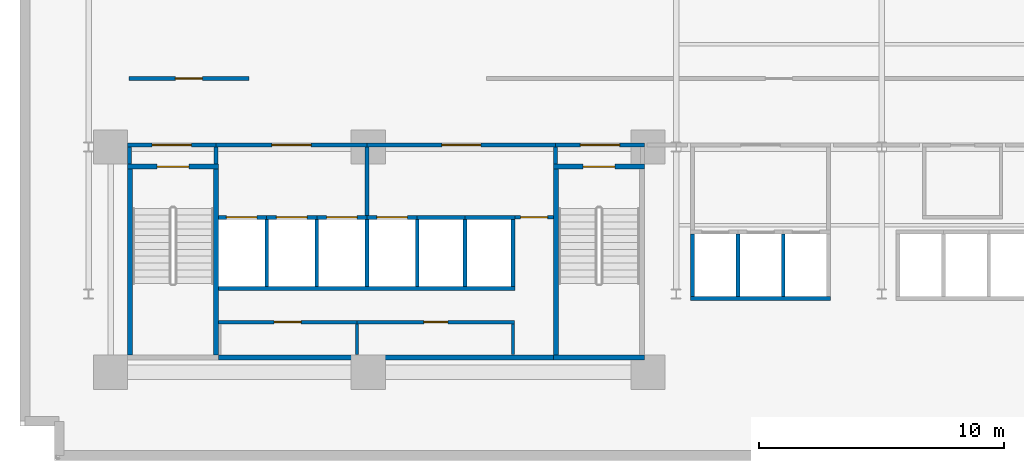
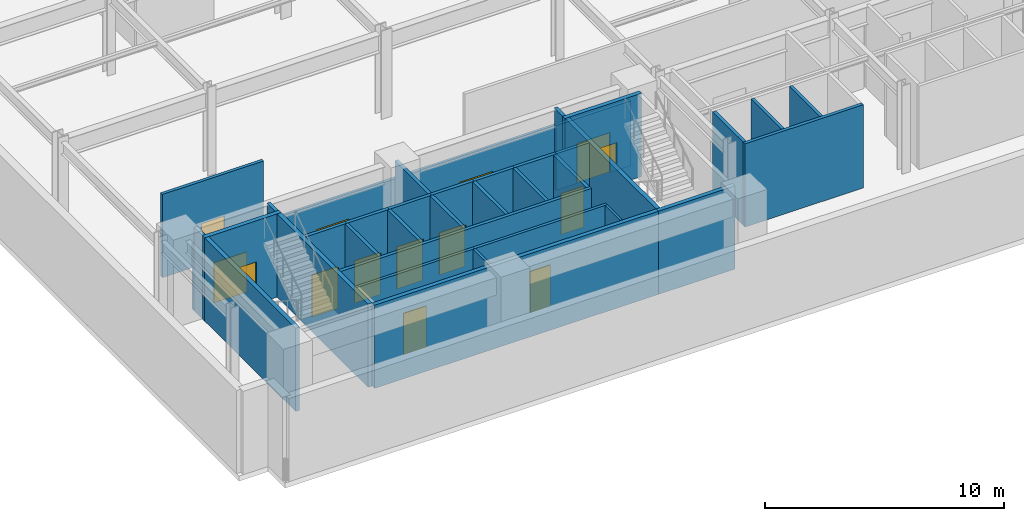
# One storey, part 6 of 14: 38 walls, 14 doors, 14 openings.
"""IFC4 building model written with IfcOpenShell, lengths in metres."""

from ifc_helpers import new_model, si_unit, direction, frame, frame_2d, origin, place, context, subcontext, project, spatial, rectangle, extrude, material, layer, layer_set, type_object, element, fill, save


model = new_model("IFC4")

# Units and contexts
model_context = context("Model", 3, precision=1e-05, world=origin(), true_north=direction((0.0, 1.0)))
body_context = subcontext(model_context, "Body", "Model", "MODEL_VIEW")
ifc_project = project(units=[si_unit("LENGTHUNIT", "METRE"), si_unit("AREAUNIT", "SQUARE_METRE"), si_unit("VOLUMEUNIT", "CUBIC_METRE"), si_unit("PLANEANGLEUNIT", "RADIAN"), si_unit("MASSUNIT", "GRAM", prefix="KILO")], contexts=[model_context])

# Site, building, storey
site_placement = place(None, origin())
site = spatial("IfcSite", under=ifc_project, at=site_placement, CompositionType="ELEMENT")
building_placement = place(site_placement, origin())
building = spatial("IfcBuilding", under=site, at=building_placement, Name="Varnakote Quay Hospital", CompositionType="ELEMENT")
storey_placement = place(building_placement, frame((0.0, 0.0, -4.5)))
storey = spatial("IfcBuildingStorey", under=building, at=storey_placement, Name="B01", CompositionType="ELEMENT", Elevation=-4.5)

# Wall
ifc_material_1 = material(Name="Fire-rated acoustic gypsum stud wall", Category="gypsum")
ifc_layer_1 = layer(ifc_material_1, 0.159912109375)
ifc_layer_set_1 = layer_set([ifc_layer_1], Name="Fire-rated acoustic gypsum stud wall")
wall_type_1 = type_object("IfcWallType", Name="WL-COMP-160", PredefinedType="PARTITIONING", material=ifc_layer_set_1)
wall_1_placement = place(storey_placement, frame((2.8798828125, 11.300048828125, 0.0), z_axis=(0.0, 0.0, 1.0), x_axis=(0.0, 1.0, 0.0)))
element("IfcWall", 1, at=wall_1_placement, inside=storey, type_object=wall_type_1, Name="B01 West Stair Vestibule West Wall", PredefinedType="PARTITIONING", context=body_context, shape_type="SweptSolid", body=[
    extrude(rectangle(XDim=0.699951171875, YDim=0.159912109375, at=frame_2d((0.35009765625, 0.0))), origin(), (0.0, 0.0, 1.0), 4.25),
])

# Wall, opening, door
wall_2_placement = place(storey_placement, frame((2.800048828125, 12.080078125, 0.0), z_axis=(0.0, 0.0, 1.0), x_axis=(1.0, 0.0, 0.0)))
wall_2 = element("IfcWall", 2, at=wall_2_placement, inside=storey, type_object=wall_type_1, Name="B01 West Stair Vestibule Smoke Wall", PredefinedType="PARTITIONING", context=body_context, shape_type="SweptSolid", body=[
    extrude(rectangle(XDim=3.599853515625, YDim=0.159912109375, at=frame_2d((1.7998046875, 0.0))), origin(), (0.0, 0.0, 1.0), 3.31494140625),
])
opening_1_placement = place(wall_2_placement, frame((1.0, 0.0, 0.0)))
opening_1 = element("IfcOpeningElement", 3, at=opening_1_placement, cuts=wall_2, Name="Opening D-ST1L-B01", PredefinedType="OPENING", context=body_context, shape_type="SweptSolid", body=[
    extrude(rectangle(XDim=1.60009765625, YDim=2.050048828125, at=frame_2d((0.800048828125, 1.02490234375))), frame((0.0, 0.08984375, 0.0), z_axis=(0.0, -1.0, 0.0), x_axis=(1.0, 0.0, 0.0)), (0.0, 0.0, 1.0), 0.179931640625),
])
ifc_material_2 = material(Name="Fire-rated double smoke lobby door")
door_type_1 = type_object("IfcDoorType", Name="DR-LOBBY-FD60S-1600x2150", OperationType="NOTDEFINED", PredefinedType="DOOR", material=ifc_material_2)
door_1_placement = place(opening_1_placement, origin())
door_1 = element("IfcDoor", 4, at=door_1_placement, inside=storey, type_object=door_type_1, Name="B01 West Stair Vestibule Smoke Door", OperationType="DOUBLE_DOOR_SINGLE_SWING", OverallHeight=2.050048828125, OverallWidth=1.60009765625, PredefinedType="DOOR", context=body_context, shape_type="SweptSolid", body=[
    extrude(rectangle(XDim=1.60009765625, YDim=2.050048828125, at=frame_2d((0.800048828125, 1.02490234375))), frame((0.0, 0.02490234375, 0.0), z_axis=(0.0, -1.0, 0.0), x_axis=(1.0, 0.0, 0.0)), (0.0, 0.0, 1.0), 0.050048828125),
])
fill(opening_1, door_1)

# Wall
wall_3_placement = place(storey_placement, frame((6.39990234375, 11.300048828125, 0.0), z_axis=(0.0, 0.0, 1.0), x_axis=(0.0, 1.0, 0.0)))
element("IfcWall", 5, at=wall_3_placement, inside=storey, type_object=wall_type_1, Name="B01 Firefighting Lobby West Wall", PredefinedType="PARTITIONING", context=body_context, shape_type="SweptSolid", body=[
    extrude(rectangle(XDim=0.699951171875, YDim=0.159912109375, at=frame_2d((0.35009765625, 0.0))), origin(), (0.0, 0.0, 1.0), 4.25),
])

# Wall, opening, door
wall_4_placement = place(storey_placement, frame((6.39990234375, 12.080078125, 0.0), z_axis=(0.0, 0.0, 1.0), x_axis=(1.0, 0.0, 0.0)))
wall_4 = element("IfcWall", 6, at=wall_4_placement, inside=storey, type_object=wall_type_1, Name="B01 Firefighting Lift Lobby Compartment Wall", PredefinedType="PARTITIONING", context=body_context, shape_type="SweptSolid", body=[
    extrude(rectangle(XDim=6.18017578125, YDim=0.159912109375, at=frame_2d((3.090087890625, 0.0))), origin(), (0.0, 0.0, 1.0), 3.31494140625),
])
opening_2_placement = place(wall_4_placement, frame((2.2900390625, 0.0, 0.0)))
opening_2 = element("IfcOpeningElement", 7, at=opening_2_placement, cuts=wall_4, Name="Opening D-FFL-B01", PredefinedType="OPENING", context=body_context, shape_type="SweptSolid", body=[
    extrude(rectangle(XDim=1.60009765625, YDim=2.050048828125, at=frame_2d((0.800048828125, 1.02490234375))), frame((0.0, 0.08984375, 0.0), z_axis=(0.0, -1.0, 0.0), x_axis=(1.0, 0.0, 0.0)), (0.0, 0.0, 1.0), 0.179931640625),
])
door_2_placement = place(opening_2_placement, origin())
door_2 = element("IfcDoor", 8, at=door_2_placement, inside=storey, type_object=door_type_1, Name="B01 Firefighting Smoke Vestibule Door", OperationType="DOUBLE_DOOR_SINGLE_SWING", OverallHeight=2.050048828125, OverallWidth=1.60009765625, PredefinedType="DOOR", context=body_context, shape_type="SweptSolid", body=[
    extrude(rectangle(XDim=1.60009765625, YDim=2.050048828125, at=frame_2d((0.800048828125, 1.02490234375))), frame((0.0, 0.02490234375, 0.0), z_axis=(0.0, -1.0, 0.0), x_axis=(1.0, 0.0, 0.0)), (0.0, 0.0, 1.0), 0.050048828125),
])
fill(opening_2, door_2)

# Wall
wall_5_placement = place(storey_placement, frame((12.580078125, 9.2099609375, 0.0), z_axis=(0.0, 0.0, 1.0), x_axis=(0.0, 1.0, 0.0)))
element("IfcWall", 9, at=wall_5_placement, inside=storey, type_object=wall_type_1, Name="B01 Firefighting to Service Lobby Wall", PredefinedType="PARTITIONING", context=body_context, shape_type="SweptSolid", body=[
    extrude(rectangle(XDim=2.7900390625, YDim=0.159912109375, at=frame_2d((1.39501953125, 0.0))), origin(), (0.0, 0.0, 1.0), 4.25),
])

# Wall, opening, door
wall_6_placement = place(storey_placement, frame((12.580078125, 12.080078125, 0.0), z_axis=(0.0, 0.0, 1.0), x_axis=(1.0, 0.0, 0.0)))
wall_6 = element("IfcWall", 10, at=wall_6_placement, inside=storey, type_object=wall_type_1, Name="B01 Clinical Bed Lift Lobby Wall", PredefinedType="PARTITIONING", context=body_context, shape_type="SweptSolid", body=[
    extrude(rectangle(XDim=7.699951171875, YDim=0.159912109375, at=frame_2d((3.85009765625, 0.0))), origin(), (0.0, 0.0, 1.0), 3.31494140625),
])
opening_3_placement = place(wall_6_placement, frame((3.050048828125, 0.0, 0.0)))
opening_3 = element("IfcOpeningElement", 11, at=opening_3_placement, cuts=wall_6, Name="Opening D-SVL-B01", PredefinedType="OPENING", context=body_context, shape_type="SweptSolid", body=[
    extrude(rectangle(XDim=1.60009765625, YDim=2.050048828125, at=frame_2d((0.800048828125, 1.02490234375))), frame((0.0, 0.08984375, 0.0), z_axis=(0.0, -1.0, 0.0), x_axis=(1.0, 0.0, 0.0)), (0.0, 0.0, 1.0), 0.179931640625),
])
door_3_placement = place(opening_3_placement, origin())
door_3 = element("IfcDoor", 12, at=door_3_placement, inside=storey, type_object=door_type_1, Name="B01 Clinical Core Smoke Vestibule Door", OperationType="DOUBLE_DOOR_SINGLE_SWING", OverallHeight=2.050048828125, OverallWidth=1.60009765625, PredefinedType="DOOR", context=body_context, shape_type="SweptSolid", body=[
    extrude(rectangle(XDim=1.60009765625, YDim=2.050048828125, at=frame_2d((0.800048828125, 1.02490234375))), frame((0.0, 0.02490234375, 0.0), z_axis=(0.0, -1.0, 0.0), x_axis=(1.0, 0.0, 0.0)), (0.0, 0.0, 1.0), 0.050048828125),
])
fill(opening_3, door_3)

# Wall
wall_7_placement = place(storey_placement, frame((20.280029296875, 11.300048828125, 0.0), z_axis=(0.0, 0.0, 1.0), x_axis=(0.0, 1.0, 0.0)))
element("IfcWall", 13, at=wall_7_placement, inside=storey, type_object=wall_type_1, Name="B01 East Stair Vestibule Divider Wall", PredefinedType="PARTITIONING", context=body_context, shape_type="SweptSolid", body=[
    extrude(rectangle(XDim=0.699951171875, YDim=0.159912109375, at=frame_2d((0.35009765625, 0.0))), origin(), (0.0, 0.0, 1.0), 4.25),
])

# Wall, opening, door
wall_8_placement = place(storey_placement, frame((20.280029296875, 12.080078125, 0.0), z_axis=(0.0, 0.0, 1.0), x_axis=(1.0, 0.0, 0.0)))
wall_8 = element("IfcWall", 14, at=wall_8_placement, inside=storey, type_object=wall_type_1, Name="B01 East Stair Vestibule Smoke Wall", PredefinedType="PARTITIONING", context=body_context, shape_type="SweptSolid", body=[
    extrude(rectangle(XDim=3.619873046875, YDim=0.159912109375, at=frame_2d((1.81005859375, 0.0))), origin(), (0.0, 0.0, 1.0), 3.31494140625),
])
opening_4_placement = place(wall_8_placement, frame((1.010009765625, 0.0, 0.0)))
opening_4 = element("IfcOpeningElement", 15, at=opening_4_placement, cuts=wall_8, Name="Opening D-ST2L-B01", PredefinedType="OPENING", context=body_context, shape_type="SweptSolid", body=[
    extrude(rectangle(XDim=1.60009765625, YDim=2.050048828125, at=frame_2d((0.800048828125, 1.02490234375))), frame((0.0, 0.08984375, 0.0), z_axis=(0.0, -1.0, 0.0), x_axis=(1.0, 0.0, 0.0)), (0.0, 0.0, 1.0), 0.179931640625),
])
door_4_placement = place(opening_4_placement, origin())
door_4 = element("IfcDoor", 16, at=door_4_placement, inside=storey, type_object=door_type_1, Name="B01 East Stair Vestibule Smoke Door", OperationType="DOUBLE_DOOR_SINGLE_SWING", OverallHeight=2.050048828125, OverallWidth=1.60009765625, PredefinedType="DOOR", context=body_context, shape_type="SweptSolid", body=[
    extrude(rectangle(XDim=1.60009765625, YDim=2.050048828125, at=frame_2d((0.800048828125, 1.02490234375))), frame((0.0, 0.02490234375, 0.0), z_axis=(0.0, -1.0, 0.0), x_axis=(1.0, 0.0, 0.0)), (0.0, 0.0, 1.0), 0.050048828125),
])
fill(opening_4, door_4)

# Walls
ifc_material_3 = material(Name="Concrete N80 (f'c 80 MPa)", Category="concrete")
ifc_layer_2 = layer(ifc_material_3, 0.199951171875)
ifc_layer_set_2 = layer_set([ifc_layer_2], Name="Concrete N80 (f'c 80 MPa)")
wall_type_2 = type_object("IfcWallType", Name="WL-CORE-N80-200", PredefinedType="SHEAR", material=ifc_layer_set_2)
wall_9_placement = place(storey_placement, frame((6.5, 3.39990234375, 0.0), z_axis=(0.0, 0.0, 1.0), x_axis=(1.0, 0.0, 0.0)))
element("IfcWall", 17, at=wall_9_placement, inside=storey, type_object=wall_type_2, Name="B01 Rear Core South Shear Wall", PredefinedType="SHEAR", context=body_context, shape_type="SweptSolid", body=[
    extrude(rectangle(XDim=13.699951171875, YDim=0.199951171875, at=frame_2d((6.85009765625, 0.0))), origin(), (0.0, 0.0, 1.0), 4.25),
])
ifc_material_4 = material(Name="Concrete N50 (f'c 50 MPa)", Category="concrete")
ifc_layer_3 = layer(ifc_material_4, 0.14990234375)
ifc_layer_set_3 = layer_set([ifc_layer_3], Name="Concrete N50 (f'c 50 MPa)")
wall_type_3 = type_object("IfcWallType", Name="WL-SHAFT-N50-150", PredefinedType="SHEAR", material=ifc_layer_set_3)
for number, where, z_axis, x_axis, name in (
    (18, (8.47509765625, 6.300048828125, 0.0), (0.0, 0.0, 1.0), (0.0, 1.0, 0.0), "B01 LF-FF1 Hoistway Divider Wall"),
    (19, (10.52490234375, 6.300048828125, 0.0), (0.0, 0.0, 1.0), (0.0, 1.0, 0.0), "B01 LF-FF2 Hoistway Divider Wall"),
    (20, (12.574951171875, 6.300048828125, 0.0), (0.0, 0.0, 1.0), (0.0, 1.0, 0.0), "B01 LF-SV1 Hoistway Divider Wall"),
    (21, (14.625, 6.300048828125, 0.0), (0.0, 0.0, 1.0), (0.0, 1.0, 0.0), "B01 LF-SV2 Hoistway Divider Wall"),
    (22, (16.574951171875, 6.300048828125, 0.0), (0.0, 0.0, 1.0), (0.0, 1.0, 0.0), "B01 LF-PH1 Hoistway Divider Wall"),
):
    element("IfcWall", number, at=place(storey_placement, frame(where, z_axis=z_axis, x_axis=x_axis)), inside=storey, type_object=wall_type_3, Name=name, PredefinedType="SHEAR", context=body_context, shape_type="SweptSolid", body=[
        extrude(rectangle(XDim=2.75, YDim=0.14990234375, at=frame_2d((1.375, 0.0))), origin(), (0.0, 0.0, 1.0), 4.25),
    ])
for number, where, z_axis, x_axis, name in (
    (23, (27.72509765625, 5.89990234375, 0.0), (0.0, 0.0, 1.0), (0.0, 1.0, 0.0), "B01 LF-PL1 Hoistway Divider Wall"),
    (24, (29.574951171875, 5.89990234375, 0.0), (0.0, 0.0, 1.0), (0.0, 1.0, 0.0), "B01 LF-PL2 Hoistway Divider Wall"),
):
    element("IfcWall", number, at=place(storey_placement, frame(where, z_axis=z_axis, x_axis=x_axis)), inside=storey, type_object=wall_type_3, Name=name, PredefinedType="SHEAR", context=body_context, shape_type="SweptSolid", body=[
        extrude(rectangle(XDim=2.550048828125, YDim=0.14990234375, at=frame_2d((1.27490234375, 0.0))), origin(), (0.0, 0.0, 1.0), 4.25),
    ])
ifc_material_5 = material(Name="Concrete N50 (f'c 50 MPa)", Category="concrete")
ifc_layer_4 = layer(ifc_material_5, 0.159912109375)
ifc_layer_set_4 = layer_set([ifc_layer_4], Name="Concrete N50 (f'c 50 MPa)")
wall_type_4 = type_object("IfcWallType", Name="WL-SHAFT-N50-160", PredefinedType="SHEAR", material=ifc_layer_set_4)
wall_10_placement = place(storey_placement, frame((6.5, 6.219970703125, 0.0), z_axis=(0.0, 0.0, 1.0), x_axis=(1.0, 0.0, 0.0)))
element("IfcWall", 25, at=wall_10_placement, inside=storey, type_object=wall_type_4, Name="B01 REAR Lift Bank Back Shear Wall", PredefinedType="SHEAR", context=body_context, shape_type="SweptSolid", body=[
    extrude(rectangle(XDim=12.110107421875, YDim=0.159912109375, at=frame_2d((6.05517578125, 0.0))), origin(), (0.0, 0.0, 1.0), 4.25),
])
wall_11_placement = place(storey_placement, frame((18.530029296875, 6.300048828125, 0.0), z_axis=(0.0, 0.0, 1.0), x_axis=(0.0, 1.0, 0.0)))
element("IfcWall", 26, at=wall_11_placement, inside=storey, type_object=wall_type_4, Name="B01 REAR Lift Bank East Shear Wall", PredefinedType="SHEAR", context=body_context, shape_type="SweptSolid", body=[
    extrude(rectangle(XDim=2.75, YDim=0.159912109375, at=frame_2d((1.375, 0.0))), origin(), (0.0, 0.0, 1.0), 4.25),
])

# Wall, opening, door
wall_12_placement = place(storey_placement, frame((6.5, 9.1298828125, 0.0), z_axis=(0.0, 0.0, 1.0), x_axis=(1.0, 0.0, 0.0)))
wall_12 = element("IfcWall", 27, at=wall_12_placement, inside=storey, type_object=wall_type_4, Name="B01 LF-FF1 Hoistway Front Wall", PredefinedType="SHEAR", context=body_context, shape_type="SweptSolid", body=[
    extrude(rectangle(XDim=1.97509765625, YDim=0.159912109375, at=frame_2d((0.987548828125, 0.0))), origin(), (0.0, 0.0, 1.0), 4.25),
])
opening_5_placement = place(wall_12_placement, frame((0.324951171875, 0.0, 0.0)))
opening_5 = element("IfcOpeningElement", 28, at=opening_5_placement, cuts=wall_12, Name="Opening LD-FF1-B01", PredefinedType="OPENING", context=body_context, shape_type="SweptSolid", body=[
    extrude(rectangle(XDim=1.25, YDim=2.14990234375, at=frame_2d((0.625, 1.074951171875))), frame((0.0, 0.08984375, 0.0), z_axis=(0.0, -1.0, 0.0), x_axis=(1.0, 0.0, 0.0)), (0.0, 0.0, 1.0), 0.179931640625),
])
ifc_material_6 = material(Name="Stainless steel lift landing sliding door", Category="steel")
door_type_2 = type_object("IfcDoorType", Name="DR-LIFT-LD-1250x2150", OperationType="NOTDEFINED", PredefinedType="DOOR", material=ifc_material_6)
door_5_placement = place(opening_5_placement, origin())
door_5 = element("IfcDoor", 29, at=door_5_placement, inside=storey, type_object=door_type_2, Name="B01 LF-FF1 Lift Landing Sliding Door", OperationType="SLIDING_TO_LEFT", OverallHeight=2.14990234375, OverallWidth=1.25, PredefinedType="DOOR", context=body_context, shape_type="SweptSolid", body=[
    extrude(rectangle(XDim=1.25, YDim=2.14990234375, at=frame_2d((0.625, 1.074951171875))), frame((0.0, 0.02490234375, 0.0), z_axis=(0.0, -1.0, 0.0), x_axis=(1.0, 0.0, 0.0)), (0.0, 0.0, 1.0), 0.050048828125),
])
fill(opening_5, door_5)

wall_13_placement = place(storey_placement, frame((8.47509765625, 9.1298828125, 0.0), z_axis=(0.0, 0.0, 1.0), x_axis=(1.0, 0.0, 0.0)))
wall_13 = element("IfcWall", 30, at=wall_13_placement, inside=storey, type_object=wall_type_4, Name="B01 LF-FF2 Hoistway Front Wall", PredefinedType="SHEAR", context=body_context, shape_type="SweptSolid", body=[
    extrude(rectangle(XDim=2.0498046875, YDim=0.159912109375, at=frame_2d((1.02490234375, 0.0))), origin(), (0.0, 0.0, 1.0), 4.25),
])
opening_6_placement = place(wall_13_placement, frame((0.39990234375, 0.0, 0.0)))
opening_6 = element("IfcOpeningElement", 31, at=opening_6_placement, cuts=wall_13, Name="Opening LD-FF2-B01", PredefinedType="OPENING", context=body_context, shape_type="SweptSolid", body=[
    extrude(rectangle(XDim=1.25, YDim=2.14990234375, at=frame_2d((0.625, 1.074951171875))), frame((0.0, 0.08984375, 0.0), z_axis=(0.0, -1.0, 0.0), x_axis=(1.0, 0.0, 0.0)), (0.0, 0.0, 1.0), 0.179931640625),
])
door_6_placement = place(opening_6_placement, origin())
door_6 = element("IfcDoor", 32, at=door_6_placement, inside=storey, type_object=door_type_2, Name="B01 LF-FF2 Lift Landing Sliding Door", OperationType="SLIDING_TO_LEFT", OverallHeight=2.14990234375, OverallWidth=1.25, PredefinedType="DOOR", context=body_context, shape_type="SweptSolid", body=[
    extrude(rectangle(XDim=1.25, YDim=2.14990234375, at=frame_2d((0.625, 1.074951171875))), frame((0.0, 0.02490234375, 0.0), z_axis=(0.0, -1.0, 0.0), x_axis=(1.0, 0.0, 0.0)), (0.0, 0.0, 1.0), 0.050048828125),
])
fill(opening_6, door_6)

wall_14_placement = place(storey_placement, frame((10.52490234375, 9.1298828125, 0.0), z_axis=(0.0, 0.0, 1.0), x_axis=(1.0, 0.0, 0.0)))
wall_14 = element("IfcWall", 33, at=wall_14_placement, inside=storey, type_object=wall_type_4, Name="B01 LF-SV1 Hoistway Front Wall", PredefinedType="SHEAR", context=body_context, shape_type="SweptSolid", body=[
    extrude(rectangle(XDim=2.050048828125, YDim=0.159912109375, at=frame_2d((1.02490234375, 0.0))), origin(), (0.0, 0.0, 1.0), 4.25),
])
opening_7_placement = place(wall_14_placement, frame((0.39990234375, 0.0, 0.0)))
opening_7 = element("IfcOpeningElement", 34, at=opening_7_placement, cuts=wall_14, Name="Opening LD-SV1-B01", PredefinedType="OPENING", context=body_context, shape_type="SweptSolid", body=[
    extrude(rectangle(XDim=1.25, YDim=2.14990234375, at=frame_2d((0.625, 1.074951171875))), frame((0.0, 0.08984375, 0.0), z_axis=(0.0, -1.0, 0.0), x_axis=(1.0, 0.0, 0.0)), (0.0, 0.0, 1.0), 0.179931640625),
])
door_7_placement = place(opening_7_placement, origin())
door_7 = element("IfcDoor", 35, at=door_7_placement, inside=storey, type_object=door_type_2, Name="B01 LF-SV1 Lift Landing Sliding Door", OperationType="SLIDING_TO_LEFT", OverallHeight=2.14990234375, OverallWidth=1.25, PredefinedType="DOOR", context=body_context, shape_type="SweptSolid", body=[
    extrude(rectangle(XDim=1.25, YDim=2.14990234375, at=frame_2d((0.625, 1.074951171875))), frame((0.0, 0.02490234375, 0.0), z_axis=(0.0, -1.0, 0.0), x_axis=(1.0, 0.0, 0.0)), (0.0, 0.0, 1.0), 0.050048828125),
])
fill(opening_7, door_7)

wall_15_placement = place(storey_placement, frame((12.574951171875, 9.1298828125, 0.0), z_axis=(0.0, 0.0, 1.0), x_axis=(1.0, 0.0, 0.0)))
wall_15 = element("IfcWall", 36, at=wall_15_placement, inside=storey, type_object=wall_type_4, Name="B01 LF-SV2 Hoistway Front Wall", PredefinedType="SHEAR", context=body_context, shape_type="SweptSolid", body=[
    extrude(rectangle(XDim=2.050048828125, YDim=0.159912109375, at=frame_2d((1.02490234375, 0.0))), origin(), (0.0, 0.0, 1.0), 4.25),
])
opening_8_placement = place(wall_15_placement, frame((0.39990234375, 0.0, 0.0)))
opening_8 = element("IfcOpeningElement", 37, at=opening_8_placement, cuts=wall_15, Name="Opening LD-SV2-B01", PredefinedType="OPENING", context=body_context, shape_type="SweptSolid", body=[
    extrude(rectangle(XDim=1.25, YDim=2.14990234375, at=frame_2d((0.625, 1.074951171875))), frame((0.0, 0.08984375, 0.0), z_axis=(0.0, -1.0, 0.0), x_axis=(1.0, 0.0, 0.0)), (0.0, 0.0, 1.0), 0.179931640625),
])
door_8_placement = place(opening_8_placement, origin())
door_8 = element("IfcDoor", 38, at=door_8_placement, inside=storey, type_object=door_type_2, Name="B01 LF-SV2 Lift Landing Sliding Door", OperationType="SLIDING_TO_LEFT", OverallHeight=2.14990234375, OverallWidth=1.25, PredefinedType="DOOR", context=body_context, shape_type="SweptSolid", body=[
    extrude(rectangle(XDim=1.25, YDim=2.14990234375, at=frame_2d((0.625, 1.074951171875))), frame((0.0, 0.02490234375, 0.0), z_axis=(0.0, -1.0, 0.0), x_axis=(1.0, 0.0, 0.0)), (0.0, 0.0, 1.0), 0.050048828125),
])
fill(opening_8, door_8)

# Walls
wall_16_placement = place(storey_placement, frame((14.625, 9.1298828125, 0.0), z_axis=(0.0, 0.0, 1.0), x_axis=(1.0, 0.0, 0.0)))
element("IfcWall", 39, at=wall_16_placement, inside=storey, type_object=wall_type_4, Name="B01 LF-PH1 Hoistway Front Wall", PredefinedType="SHEAR", context=body_context, shape_type="SweptSolid", body=[
    extrude(rectangle(XDim=1.949951171875, YDim=0.159912109375, at=frame_2d((0.97509765625, 0.0))), origin(), (0.0, 0.0, 1.0), 4.25),
])
wall_17_placement = place(storey_placement, frame((16.574951171875, 9.1298828125, 0.0), z_axis=(0.0, 0.0, 1.0), x_axis=(1.0, 0.0, 0.0)))
element("IfcWall", 40, at=wall_17_placement, inside=storey, type_object=wall_type_4, Name="B01 LF-PH2 Hoistway Front Wall", PredefinedType="SHEAR", context=body_context, shape_type="SweptSolid", body=[
    extrude(rectangle(XDim=2.03515625, YDim=0.159912109375, at=frame_2d((1.017578125, 0.0))), origin(), (0.0, 0.0, 1.0), 4.25),
])
wall_18_placement = place(storey_placement, frame((25.7900390625, 5.820068359375, 0.0), z_axis=(0.0, 0.0, 1.0), x_axis=(1.0, 0.0, 0.0)))
element("IfcWall", 41, at=wall_18_placement, inside=storey, type_object=wall_type_4, Name="B01 LOW Lift Bank Back Shear Wall", PredefinedType="SHEAR", context=body_context, shape_type="SweptSolid", body=[
    extrude(rectangle(XDim=5.719970703125, YDim=0.159912109375, at=frame_2d((2.85986328125, 0.0))), origin(), (0.0, 0.0, 1.0), 4.25),
])
wall_19_placement = place(storey_placement, frame((25.8701171875, 5.89990234375, 0.0), z_axis=(0.0, 0.0, 1.0), x_axis=(0.0, 1.0, 0.0)))
element("IfcWall", 42, at=wall_19_placement, inside=storey, type_object=wall_type_4, Name="B01 LOW Lift Bank West Shear Wall", PredefinedType="SHEAR", context=body_context, shape_type="SweptSolid", body=[
    extrude(rectangle(XDim=2.550048828125, YDim=0.159912109375, at=frame_2d((1.27490234375, 0.0))), origin(), (0.0, 0.0, 1.0), 4.25),
])
ifc_material_7 = material(Name="Concrete N50 (f'c 50 MPa)", Category="concrete")
ifc_layer_5 = layer(ifc_material_7, 0.199951171875)
ifc_layer_set_5 = layer_set([ifc_layer_5], Name="Concrete N50 (f'c 50 MPa)")
wall_type_5 = type_object("IfcWallType", Name="WL-SHAFT-N50-200", PredefinedType="SHEAR", material=ifc_layer_set_5)
for number, where, z_axis, x_axis, name in (
    (43, (2.89990234375, 3.5, 0.0), (0.0, 0.0, 1.0), (0.0, 1.0, 0.0), "B01 Stair ST1 West Shaft Wall"),
    (44, (6.39990234375, 3.5, 0.0), (0.0, 0.0, 1.0), (0.0, 1.0, 0.0), "B01 Stair ST1 East Shaft Wall"),
):
    element("IfcWall", number, at=place(storey_placement, frame(where, z_axis=z_axis, x_axis=x_axis)), inside=storey, type_object=wall_type_5, Name=name, PredefinedType="SHEAR", context=body_context, shape_type="SweptSolid", body=[
        extrude(rectangle(XDim=7.60009765625, YDim=0.199951171875, at=frame_2d((3.800048828125, 0.0))), origin(), (0.0, 0.0, 1.0), 4.25),
    ])

# Wall, opening, door
wall_20_placement = place(storey_placement, frame((2.800048828125, 11.199951171875, 0.0), z_axis=(0.0, 0.0, 1.0), x_axis=(1.0, 0.0, 0.0)))
wall_20 = element("IfcWall", 45, at=wall_20_placement, inside=storey, type_object=wall_type_5, Name="B01 Stair ST1 Exit Wall", PredefinedType="SHEAR", context=body_context, shape_type="SweptSolid", body=[
    extrude(rectangle(XDim=3.699951171875, YDim=0.199951171875, at=frame_2d((1.85009765625, 0.0))), origin(), (0.0, 0.0, 1.0), 4.25),
])
opening_9_placement = place(wall_20_placement, frame((1.199951171875, 0.0, 0.0)))
opening_9 = element("IfcOpeningElement", 46, at=opening_9_placement, cuts=wall_20, Name="Opening D-ST1-B01", PredefinedType="OPENING", context=body_context, shape_type="SweptSolid", body=[
    extrude(rectangle(XDim=1.300048828125, YDim=2.14990234375, at=frame_2d((0.64990234375, 1.074951171875))), frame((0.0, 0.10986328125, 0.0), z_axis=(0.0, -1.0, 0.0), x_axis=(1.0, 0.0, 0.0)), (0.0, 0.0, 1.0), 0.219970703125),
])
ifc_material_8 = material(Name="Fire-rated ceramic-glazed timber exit door", Category="wood")
door_type_3 = type_object("IfcDoorType", Name="DR-STAIR-FD60S-1300x2150", OperationType="NOTDEFINED", PredefinedType="DOOR", material=ifc_material_8)
door_9_placement = place(opening_9_placement, origin())
door_9 = element("IfcDoor", 47, at=door_9_placement, inside=storey, type_object=door_type_3, Name="B01 Stair ST1 Fire Exit Door", OperationType="SINGLE_SWING_RIGHT", OverallHeight=2.14990234375, OverallWidth=1.300048828125, PredefinedType="DOOR", context=body_context, shape_type="SweptSolid", body=[
    extrude(rectangle(XDim=1.300048828125, YDim=2.14990234375, at=frame_2d((0.64990234375, 1.074951171875))), frame((0.0, 0.02490234375, 0.0), z_axis=(0.0, -1.0, 0.0), x_axis=(1.0, 0.0, 0.0)), (0.0, 0.0, 1.0), 0.050048828125),
])
fill(opening_9, door_9)

# Walls
wall_21_placement = place(storey_placement, frame((20.199951171875, 3.39990234375, 0.0), z_axis=(0.0, 0.0, 1.0), x_axis=(1.0, 0.0, 0.0)))
element("IfcWall", 48, at=wall_21_placement, inside=storey, type_object=wall_type_5, Name="B01 Stair ST2 South Shaft Wall", PredefinedType="SHEAR", context=body_context, shape_type="SweptSolid", body=[
    extrude(rectangle(XDim=3.699951171875, YDim=0.199951171875, at=frame_2d((1.85009765625, 0.0))), origin(), (0.0, 0.0, 1.0), 4.25),
])
wall_22_placement = place(storey_placement, frame((20.300048828125, 3.5, 0.0), z_axis=(0.0, 0.0, 1.0), x_axis=(0.0, 1.0, 0.0)))
element("IfcWall", 49, at=wall_22_placement, inside=storey, type_object=wall_type_5, Name="B01 Stair ST2 West Shaft Wall", PredefinedType="SHEAR", context=body_context, shape_type="SweptSolid", body=[
    extrude(rectangle(XDim=7.60009765625, YDim=0.199951171875, at=frame_2d((3.800048828125, 0.0))), origin(), (0.0, 0.0, 1.0), 4.25),
])

# Wall, opening, door
wall_23_placement = place(storey_placement, frame((20.199951171875, 11.199951171875, 0.0), z_axis=(0.0, 0.0, 1.0), x_axis=(1.0, 0.0, 0.0)))
wall_23 = element("IfcWall", 50, at=wall_23_placement, inside=storey, type_object=wall_type_5, Name="B01 Stair ST2 Exit Wall", PredefinedType="SHEAR", context=body_context, shape_type="SweptSolid", body=[
    extrude(rectangle(XDim=3.699951171875, YDim=0.199951171875, at=frame_2d((1.85009765625, 0.0))), origin(), (0.0, 0.0, 1.0), 4.25),
])
opening_10_placement = place(wall_23_placement, frame((1.199951171875, 0.0, 0.0)))
opening_10 = element("IfcOpeningElement", 51, at=opening_10_placement, cuts=wall_23, Name="Opening D-ST2-B01", PredefinedType="OPENING", context=body_context, shape_type="SweptSolid", body=[
    extrude(rectangle(XDim=1.300048828125, YDim=2.14990234375, at=frame_2d((0.64990234375, 1.074951171875))), frame((0.0, 0.10986328125, 0.0), z_axis=(0.0, -1.0, 0.0), x_axis=(1.0, 0.0, 0.0)), (0.0, 0.0, 1.0), 0.219970703125),
])
door_10_placement = place(opening_10_placement, origin())
door_10 = element("IfcDoor", 52, at=door_10_placement, inside=storey, type_object=door_type_3, Name="B01 Stair ST2 Fire Exit Door", OperationType="SINGLE_SWING_LEFT", OverallHeight=2.14990234375, OverallWidth=1.300048828125, PredefinedType="DOOR", context=body_context, shape_type="SweptSolid", body=[
    extrude(rectangle(XDim=1.300048828125, YDim=2.14990234375, at=frame_2d((0.64990234375, 1.074951171875))), frame((0.0, 0.02490234375, 0.0), z_axis=(0.0, -1.0, 0.0), x_axis=(1.0, 0.0, 0.0)), (0.0, 0.0, 1.0), 0.050048828125),
])
fill(opening_10, door_10)

# Walls
ifc_material_9 = material(Name="Smoke-proof clinical partition", Category="gypsum")
ifc_layer_6 = layer(ifc_material_9, 0.1201171875)
ifc_layer_set_6 = layer_set([ifc_layer_6], Name="Smoke-proof clinical partition")
wall_type_6 = type_object("IfcWallType", Name="WL-SMOKE-120", PredefinedType="PARTITIONING", material=ifc_layer_set_6)
for number, where, z_axis, x_axis, name in (
    (53, (12.169921875, 3.52001953125, 0.0), (0.0, 0.0, 1.0), (0.0, 1.0, 0.0), "B01 Core South Service Divider"),
    (54, (18.5400390625, 3.52001953125, 0.0), (0.0, 0.0, 1.0), (0.0, 1.0, 0.0), "B01 Core South Service East Wall"),
):
    element("IfcWall", number, at=place(storey_placement, frame(where, z_axis=z_axis, x_axis=x_axis)), inside=storey, type_object=wall_type_6, Name=name, PredefinedType="PARTITIONING", context=body_context, shape_type="SweptSolid", body=[
        extrude(rectangle(XDim=1.260009765625, YDim=0.1201171875, at=frame_2d((0.6298828125, 0.0))), origin(), (0.0, 0.0, 1.0), 4.25),
    ])

# Wall, opening, door
ifc_material_10 = material(Name="Fire-rated clinical gypsum partition", Category="gypsum")
ifc_layer_7 = layer(ifc_material_10, 0.139892578125)
ifc_layer_set_7 = layer_set([ifc_layer_7], Name="Fire-rated clinical gypsum partition")
wall_type_7 = type_object("IfcWallType", Name="WL-WARD-140", PredefinedType="PARTITIONING", material=ifc_layer_set_7)
wall_24_placement = place(storey_placement, frame((6.5, 4.85009765625, 0.0), z_axis=(0.0, 0.0, 1.0), x_axis=(1.0, 0.0, 0.0)))
wall_24 = element("IfcWall", 55, at=wall_24_placement, inside=storey, type_object=wall_type_7, Name="B01 Core Clean Linen Store North Wall", PredefinedType="PARTITIONING", context=body_context, shape_type="SweptSolid", body=[
    extrude(rectangle(XDim=5.669921875, YDim=0.139892578125, at=frame_2d((2.8349609375, 0.0))), origin(), (0.0, 0.0, 1.0), 4.25),
])
opening_11_placement = place(wall_24_placement, frame((2.284912109375, 0.0, 0.0)))
opening_11 = element("IfcOpeningElement", 56, at=opening_11_placement, cuts=wall_24, Name="Opening D-B01-CR01", PredefinedType="OPENING", context=body_context, shape_type="SweptSolid", body=[
    extrude(rectangle(XDim=1.10009765625, YDim=2.10009765625, at=frame_2d((0.550048828125, 1.050048828125))), frame((0.0, 0.079833984375, 0.0), z_axis=(0.0, -1.0, 0.0), x_axis=(1.0, 0.0, 0.0)), (0.0, 0.0, 1.0), 0.159912109375),
])
ifc_material_11 = material(Name="Acoustic timber clinical consult door", Category="wood")
door_type_4 = type_object("IfcDoorType", Name="DR-CLIN-FD30S-1100x2100", OperationType="NOTDEFINED", PredefinedType="DOOR", material=ifc_material_11)
door_11_placement = place(opening_11_placement, origin())
door_11 = element("IfcDoor", 57, at=door_11_placement, inside=storey, type_object=door_type_4, Name="B01 Core Clean Linen Store Door", OperationType="SINGLE_SWING_RIGHT", OverallHeight=2.10009765625, OverallWidth=1.10009765625, PredefinedType="DOOR", context=body_context, shape_type="SweptSolid", body=[
    extrude(rectangle(XDim=1.10009765625, YDim=2.10009765625, at=frame_2d((0.550048828125, 1.050048828125))), frame((0.0, 0.02490234375, 0.0), z_axis=(0.0, -1.0, 0.0), x_axis=(1.0, 0.0, 0.0)), (0.0, 0.0, 1.0), 0.050048828125),
])
fill(opening_11, door_11)

wall_25_placement = place(storey_placement, frame((12.169921875, 4.85009765625, 0.0), z_axis=(0.0, 0.0, 1.0), x_axis=(1.0, 0.0, 0.0)))
wall_25 = element("IfcWall", 58, at=wall_25_placement, inside=storey, type_object=wall_type_7, Name="B01 Core Staff Sanitary WC North Wall", PredefinedType="PARTITIONING", context=body_context, shape_type="SweptSolid", body=[
    extrude(rectangle(XDim=6.43017578125, YDim=0.139892578125, at=frame_2d((3.215087890625, 0.0))), origin(), (0.0, 0.0, 1.0), 4.25),
])
opening_12_placement = place(wall_25_placement, frame((2.72509765625, 0.0, 0.0)))
opening_12 = element("IfcOpeningElement", 59, at=opening_12_placement, cuts=wall_25, Name="Opening D-B01-CR02", PredefinedType="OPENING", context=body_context, shape_type="SweptSolid", body=[
    extrude(rectangle(XDim=0.97998046875, YDim=2.10009765625, at=frame_2d((0.489990234375, 1.050048828125))), frame((0.0, 0.079833984375, 0.0), z_axis=(0.0, -1.0, 0.0), x_axis=(1.0, 0.0, 0.0)), (0.0, 0.0, 1.0), 0.159912109375),
])
ifc_material_12 = material(Name="Accessible sanitary compartment door")
door_type_5 = type_object("IfcDoorType", Name="DR-WC-980x2100", OperationType="NOTDEFINED", PredefinedType="DOOR", material=ifc_material_12)
door_12_placement = place(opening_12_placement, origin())
door_12 = element("IfcDoor", 60, at=door_12_placement, inside=storey, type_object=door_type_5, Name="B01 Core Staff Sanitary WC Door", OperationType="SINGLE_SWING_LEFT", OverallHeight=2.10009765625, OverallWidth=0.97998046875, PredefinedType="DOOR", context=body_context, shape_type="SweptSolid", body=[
    extrude(rectangle(XDim=0.97998046875, YDim=2.10009765625, at=frame_2d((0.489990234375, 1.050048828125))), frame((0.0, 0.02490234375, 0.0), z_axis=(0.0, -1.0, 0.0), x_axis=(1.0, 0.0, 0.0)), (0.0, 0.0, 1.0), 0.050048828125),
])
fill(opening_12, door_12)

wall_26_placement = place(storey_placement, frame((18.610107421875, 9.1298828125, 0.0), z_axis=(0.0, 0.0, 1.0), x_axis=(1.0, 0.0, 0.0)))
wall_26 = element("IfcWall", 61, at=wall_26_placement, inside=storey, type_object=wall_type_7, Name="B01 Core Service Corridor North Door Wall", PredefinedType="PARTITIONING", context=body_context, shape_type="SweptSolid", body=[
    extrude(rectangle(XDim=1.58984375, YDim=0.139892578125, at=frame_2d((0.794921875, 0.0))), origin(), (0.0, 0.0, 1.0), 4.25),
])
opening_13_placement = place(wall_26_placement, frame((0.239990234375, 0.0, 0.0)))
opening_13 = element("IfcOpeningElement", 62, at=opening_13_placement, cuts=wall_26, Name="Opening D-CSRV-B01", PredefinedType="OPENING", context=body_context, shape_type="SweptSolid", body=[
    extrude(rectangle(XDim=1.10009765625, YDim=2.10009765625, at=frame_2d((0.550048828125, 1.050048828125))), frame((0.0, 0.079833984375, 0.0), z_axis=(0.0, -1.0, 0.0), x_axis=(1.0, 0.0, 0.0)), (0.0, 0.0, 1.0), 0.159912109375),
])
door_13_placement = place(opening_13_placement, origin())
door_13 = element("IfcDoor", 63, at=door_13_placement, inside=storey, type_object=door_type_4, Name="B01 Core Service Corridor Door", OperationType="SINGLE_SWING_RIGHT", OverallHeight=2.10009765625, OverallWidth=1.10009765625, PredefinedType="DOOR", context=body_context, shape_type="SweptSolid", body=[
    extrude(rectangle(XDim=1.10009765625, YDim=2.10009765625, at=frame_2d((0.550048828125, 1.050048828125))), frame((0.0, 0.02490234375, 0.0), z_axis=(0.0, -1.0, 0.0), x_axis=(1.0, 0.0, 0.0)), (0.0, 0.0, 1.0), 0.050048828125),
])
fill(opening_13, door_13)

ifc_material_13 = material(Name="Fire-rated clinical gypsum partition", Category="gypsum")
ifc_layer_8 = layer(ifc_material_13, 0.14990234375)
ifc_layer_set_8 = layer_set([ifc_layer_8], Name="Fire-rated clinical gypsum partition")
wall_type_8 = type_object("IfcWallType", Name="WL-WARD-150", PredefinedType="PARTITIONING", material=ifc_layer_set_8)
wall_27_placement = place(storey_placement, frame((7.74462890625, 14.800048828125, 0.0), z_axis=(0.0, 0.0, 1.0), x_axis=(-1.0, 0.0, 0.0)))
wall_27 = element("IfcWall", 64, at=wall_27_placement, inside=storey, type_object=wall_type_8, Name="B01 Clinical Interior Partition", PredefinedType="PARTITIONING", context=body_context, shape_type="SweptSolid", body=[
    extrude(rectangle(XDim=4.89453125, YDim=0.14990234375, at=frame_2d((2.447265625, 0.0))), origin(), (0.0, 0.0, 1.0), 4.25),
])
opening_14_placement = place(wall_27_placement, frame((1.897216796875, 0.0, 0.0)))
opening_14 = element("IfcOpeningElement", 65, at=opening_14_placement, cuts=wall_27, Name="Opening D-B01-PKE", PredefinedType="OPENING", context=body_context, shape_type="SweptSolid", body=[
    extrude(rectangle(XDim=1.10009765625, YDim=2.10009765625, at=frame_2d((0.550048828125, 1.050048828125))), frame((0.0, 0.0849609375, 0.0), z_axis=(0.0, -1.0, 0.0), x_axis=(1.0, 0.0, 0.0)), (0.0, 0.0, 1.0), 0.169921875),
])
door_14_placement = place(opening_14_placement, origin())
door_14 = element("IfcDoor", 66, at=door_14_placement, inside=storey, type_object=door_type_4, Name="B01 West Accessible Car Park Bays Door", OperationType="SINGLE_SWING_RIGHT", OverallHeight=2.10009765625, OverallWidth=1.10009765625, PredefinedType="DOOR", context=body_context, shape_type="SweptSolid", body=[
    extrude(rectangle(XDim=1.10009765625, YDim=2.10009765625, at=frame_2d((0.550048828125, 1.050048828125))), frame((0.0, 0.02490234375, 0.0), z_axis=(0.0, -1.0, 0.0), x_axis=(1.0, 0.0, 0.0)), (0.0, 0.0, 1.0), 0.050048828125),
])
fill(opening_14, door_14)

save(model, "model.ifc")
